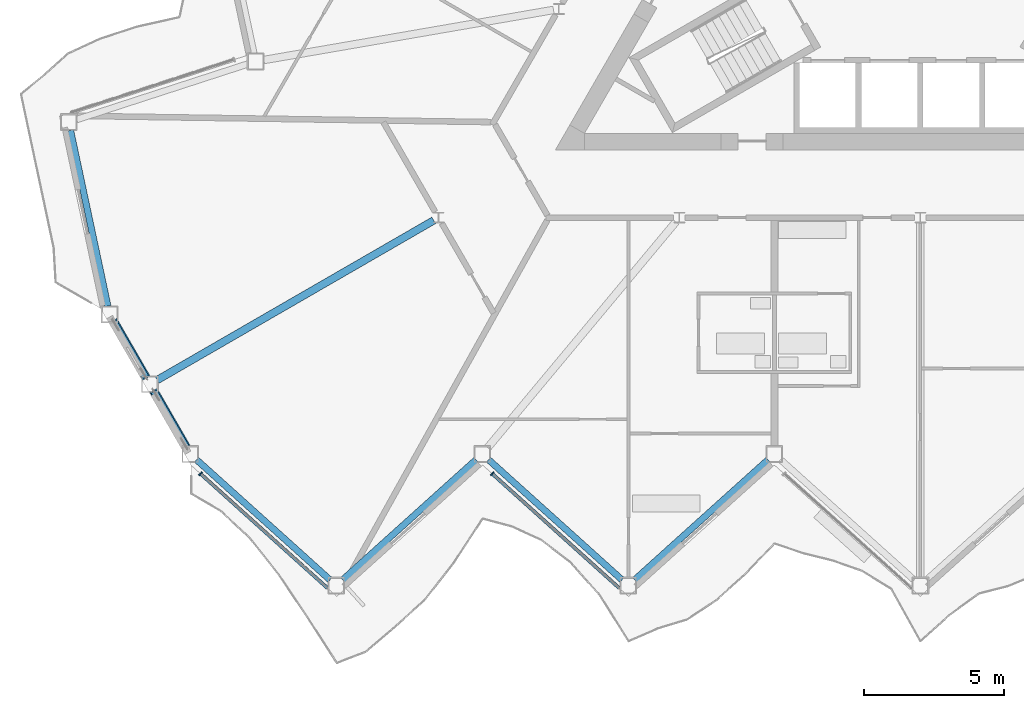
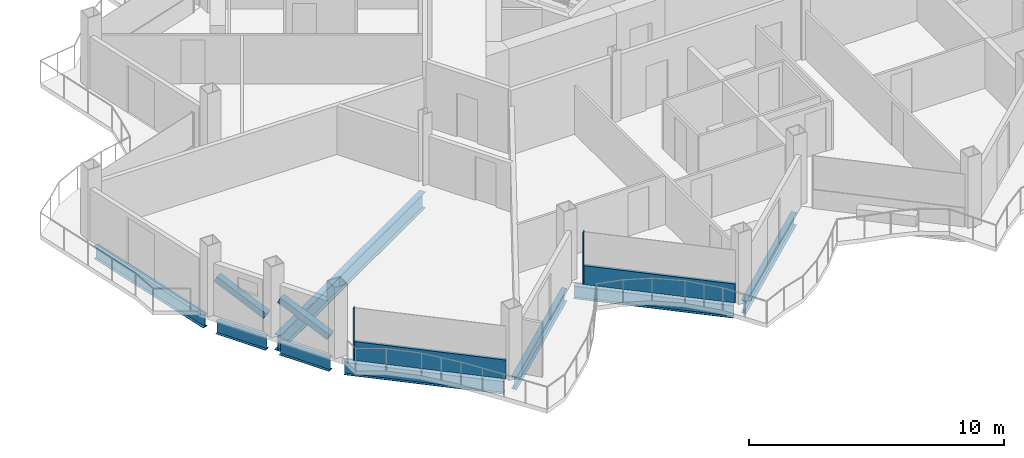
# One storey, part 4 of 26: 8 beams, 6 members, 2 elements without a shape of their own.
"""IFC4 building model written with IfcOpenShell, lengths in metres."""

from ifc_helpers import new_model, si_unit, direction, frame, origin, origin_2d, place, context, subcontext, project, spatial, rectangle, hollow_rectangle, i_section, extrude, material, layer, layer_set, material_profile, profile_set, type_object, element, aggregate, save


model = new_model("IFC4")

# Units and contexts
model_context = context("Model", 3, precision=1e-05, world=origin(), true_north=direction((0.0, 1.0)))
body_context = subcontext(model_context, "Body", "Model", "MODEL_VIEW")
ifc_project = project(units=[si_unit("LENGTHUNIT", "METRE"), si_unit("AREAUNIT", "SQUARE_METRE"), si_unit("VOLUMEUNIT", "CUBIC_METRE"), si_unit("PLANEANGLEUNIT", "RADIAN"), si_unit("MASSUNIT", "GRAM", prefix="KILO")], contexts=[model_context])

# Site, building, storey
site_placement = place(None, origin())
site = spatial("IfcSite", under=ifc_project, at=site_placement, CompositionType="ELEMENT")
building_placement = place(site_placement, origin())
building = spatial("IfcBuilding", under=site, at=building_placement, Name="Cormorant Prow Tower", CompositionType="ELEMENT")
storey_placement = place(building_placement, frame((0.0, 0.0, 329.0)))
storey = spatial("IfcBuildingStorey", under=building, at=storey_placement, Name="L73", CompositionType="ELEMENT", Elevation=329.0)

# Members
ifc_material_1 = material(Name="Structural steel ASTM A500 Gr C", Category="steel")
ifc_material_profile_1 = material_profile(ifc_material_1, hollow_rectangle(XDim=0.3046875, YDim=0.3046875, WallThickness=0.01171875, at=origin_2d()), Name="HSS12x12x1/2")
ifc_profile_set_1 = profile_set([ifc_material_profile_1], Name="Structural steel ASTM A500 Gr C")
member_type_1 = type_object("IfcMemberType", Name="Chamfer brace HSS12x12x1/2", PredefinedType="BRACE", material=ifc_profile_set_1)
for number, where, z_axis, x_axis, name in (
    (1, (-27.589599609375, -15.5654296875, 0.7412109375), (-0.456265706889, 0.790324476185, 0.408911759503), (-0.866038851724, -0.499976706761, 0.0), "Chamfer brace BR3 at WSW00 L73"),
    (2, (-26.15283203125, -18.05419921875, 0.7412109375), (-0.456265706889, 0.790324476185, 0.408911759503), (-0.866038851724, -0.499976706761, 0.0), "Chamfer brace BR3 at WSW01 L73"),
):
    element("IfcMember", number, at=place(storey_placement, frame(where, z_axis=z_axis, x_axis=x_axis)), inside=storey, type_object=member_type_1, Name=name, PredefinedType="BRACE", context=body_context, shape_type="SweptSolid", body=[
        extrude(hollow_rectangle(XDim=0.3046875, YDim=0.3046875, WallThickness=0.01171875, at=origin_2d()), origin(), (0.0, 0.0, 1.0), 2.459228515625),
    ])

# Beam
ifc_material_2 = material(Name="Structural steel ASTM A992 Gr 50", Category="steel")
ifc_material_profile_2 = material_profile(ifc_material_2, i_section(OverallWidth=0.267822265625, OverallDepth=0.77001953125, WebThickness=0.015625, FlangeThickness=0.025390625, at=origin_2d()), Name="W30x132")
ifc_profile_set_2 = profile_set([ifc_material_profile_2], Name="Structural steel ASTM A992 Gr 50")
beam_type_1 = type_object("IfcBeamType", Name="Radial floor beam W30x132", PredefinedType="BEAM", material=ifc_profile_set_2)
beam_1_placement = place(storey_placement, frame((-17.328125, -10.00439453125, -0.68505859375), z_axis=(-0.866024637028, -0.500001328059, 0.0), x_axis=(0.500001328059, -0.866024637028, 0.0)))
element("IfcBeam", 3, at=beam_1_placement, inside=storey, type_object=beam_type_1, Name="Radial floor beam FB3 5 L73", PredefinedType="BEAM", context=body_context, shape_type="SweptSolid", body=[
    extrude(i_section(OverallWidth=0.267822265625, OverallDepth=0.77001953125, WebThickness=0.015625, FlangeThickness=0.025390625, at=origin_2d()), origin(), (0.0, 0.0, 1.0), 11.3671875),
])

# Curtain wall, member
ifc_material_3 = material(Name="Aluminium 6063-T6", Category="aluminium")
ifc_layer = layer(ifc_material_3, 0.159912109375)
ifc_layer_set = layer_set([ifc_layer], Name="Aluminium 6063-T6")
curtain_wall_type = type_object("IfcCurtainWallType", Name="Residential unitised curtain wall 160", PredefinedType="NOTDEFINED", material=ifc_layer_set)
curtain_wall_1_placement = place(storey_placement, origin())
curtain_wall_1 = element("IfcCurtainWall", 4, at=curtain_wall_1_placement, inside=storey, type_object=curtain_wall_type, Name="Residential curtain wall S00", PredefinedType="NOTDEFINED")
ifc_material_4 = material(Name="Aluminium 6063-T6", Category="aluminium")
ifc_material_profile_3 = material_profile(ifc_material_4, rectangle(XDim=0.159912109375, YDim=0.050048828125, at=origin_2d()), Name="Residential mullion 50x160")
ifc_profile_set_3 = profile_set([ifc_material_profile_3], Name="Aluminium 6063-T6")
member_type_2 = type_object("IfcMemberType", Name="Residential mullion 50x160", PredefinedType="MULLION", material=ifc_profile_set_3)
member_1_placement = place(storey_placement, frame((-25.63232421875, -19.025146484375, 0.0), z_axis=(0.0, 0.0, 1.0), x_axis=(0.669130654479, 0.74314478215, 0.0)))
member_1 = element("IfcMember", 5, at=member_1_placement, type_object=member_type_2, Name="Residential mullion S00", PredefinedType="MULLION", context=body_context, shape_type="SweptSolid", body=[
    extrude(rectangle(XDim=0.159912109375, YDim=0.050048828125, at=origin_2d()), origin(), (0.0, 0.0, 1.0), 2.48779296875),
])

curtain_wall_2_placement = place(storey_placement, origin())
curtain_wall_2 = element("IfcCurtainWall", 6, at=curtain_wall_2_placement, inside=storey, type_object=curtain_wall_type, Name="Residential curtain wall S02", PredefinedType="NOTDEFINED")
member_2_placement = place(storey_placement, frame((-15.242919921875, -19.025146484375, 0.0), z_axis=(0.0, 0.0, 1.0), x_axis=(0.669130654479, 0.74314478215, 0.0)))
member_2 = element("IfcMember", 7, at=member_2_placement, type_object=member_type_2, Name="Residential mullion S02", PredefinedType="MULLION", context=body_context, shape_type="SweptSolid", body=[
    extrude(rectangle(XDim=0.159912109375, YDim=0.050048828125, at=origin_2d()), origin(), (0.0, 0.0, 1.0), 2.48779296875),
])

# Member
ifc_material_5 = material(Name="Terracotta", Category="masonry")
ifc_material_profile_4 = material_profile(ifc_material_5, rectangle(XDim=0.1201171875, YDim=0.89990234375, at=origin_2d()), Name="Residential terracotta spandrel rail 120x900")
ifc_profile_set_4 = profile_set([ifc_material_profile_4], Name="Terracotta")
member_type_3 = type_object("IfcMemberType", Name="Residential terracotta spandrel rail 120x900", PredefinedType="USERDEFINED", material=ifc_profile_set_4)
member_3_placement = place(storey_placement, frame((-25.61376953125, -19.0419921875, 0.449951171875), z_axis=(0.74314818338, -0.669126877012, 0.0), x_axis=(0.669126877012, 0.74314818338, 0.0)))
member_3 = element("IfcMember", 8, at=member_3_placement, type_object=member_type_3, Name="Residential spandrel rail S00", ObjectType="TRANSOM", PredefinedType="USERDEFINED", context=body_context, shape_type="SweptSolid", body=[
    extrude(rectangle(XDim=0.1201171875, YDim=0.89990234375, at=origin_2d()), origin(), (0.0, 0.0, 1.0), 6.072021484375),
])

aggregate(curtain_wall_1, [member_1, member_3])

member_4_placement = place(storey_placement, frame((-15.224365234375, -19.0419921875, 0.449951171875), z_axis=(0.74314818338, -0.669126877012, 0.0), x_axis=(0.669126877012, 0.74314818338, 0.0)))
member_4 = element("IfcMember", 9, at=member_4_placement, type_object=member_type_3, Name="Residential spandrel rail S02", ObjectType="TRANSOM", PredefinedType="USERDEFINED", context=body_context, shape_type="SweptSolid", body=[
    extrude(rectangle(XDim=0.1201171875, YDim=0.89990234375, at=origin_2d()), origin(), (0.0, 0.0, 1.0), 6.072021484375),
])

aggregate(curtain_wall_2, [member_2, member_4])

# Beams
ifc_material_6 = material(Name="Structural steel ASTM A992 Gr 50", Category="steel")
ifc_material_profile_5 = material_profile(ifc_material_6, i_section(OverallWidth=0.22900390625, OverallDepth=0.612060546875, WebThickness=0.011962890625, FlangeThickness=0.01953125, at=origin_2d()), Name="W24x84")
ifc_profile_set_5 = profile_set([ifc_material_profile_5], Name="Structural steel ASTM A992 Gr 50")
beam_type_2 = type_object("IfcBeamType", Name="Spandrel beam W24x84", PredefinedType="SPANDREL", material=ifc_profile_set_5)
beam_2_placement = place(storey_placement, frame((-25.7724609375, -18.527587890625, -0.60595703125), z_axis=(0.743144186555, -0.669131315954, 0.0), x_axis=(0.669131315954, 0.743144186555, 0.0)))
element("IfcBeam", 10, at=beam_2_placement, inside=storey, type_object=beam_type_2, Name="Spandrel beam SB3 S00-S01 L73", PredefinedType="SPANDREL", context=body_context, shape_type="SweptSolid", body=[
    extrude(i_section(OverallWidth=0.22900390625, OverallDepth=0.612060546875, WebThickness=0.011962890625, FlangeThickness=0.01953125, at=origin_2d()), origin(), (0.0, 0.0, 1.0), 6.39599609375),
])
beam_3_placement = place(storey_placement, frame((-20.573486328125, -22.807373046875, -0.60595703125), z_axis=(0.743161276225, 0.669112335502, 0.0), x_axis=(-0.669112335502, 0.743161276225, 0.0)))
element("IfcBeam", 11, at=beam_3_placement, inside=storey, type_object=beam_type_2, Name="Spandrel beam SB3 S01-S02 L73", PredefinedType="SPANDREL", context=body_context, shape_type="SweptSolid", body=[
    extrude(i_section(OverallWidth=0.22900390625, OverallDepth=0.612060546875, WebThickness=0.011962890625, FlangeThickness=0.01953125, at=origin_2d()), origin(), (0.0, 0.0, 1.0), 6.396240234375),
])
for number, where, z_axis, x_axis, name in (
    (12, (-15.374267578125, -18.527587890625, -0.60595703125), (0.743144186555, -0.669131315954, 0.0), (0.669131315954, 0.743144186555, 0.0), "Spandrel beam SB3 S02-S03 L73"),
    (13, (-10.17529296875, -22.807373046875, -0.60595703125), (0.743144186555, 0.669131315954, 0.0), (-0.669131315954, 0.743144186555, 0.0), "Spandrel beam SB3 S03-S04 L73"),
):
    element("IfcBeam", number, at=place(storey_placement, frame(where, z_axis=z_axis, x_axis=x_axis)), inside=storey, type_object=beam_type_2, Name=name, PredefinedType="SPANDREL", context=body_context, shape_type="SweptSolid", body=[
        extrude(i_section(OverallWidth=0.22900390625, OverallDepth=0.612060546875, WebThickness=0.011962890625, FlangeThickness=0.01953125, at=origin_2d()), origin(), (0.0, 0.0, 1.0), 6.39599609375),
    ])
beam_4_placement = place(storey_placement, frame((-30.261474609375, -6.799560546875, -0.60595703125), z_axis=(0.20791262393, -0.978147402394, 0.0), x_axis=(0.978147402394, 0.20791262393, 0.0)))
element("IfcBeam", 14, at=beam_4_placement, inside=storey, type_object=beam_type_2, Name="Spandrel beam SB3 WNW09-WSW00 L73", PredefinedType="SPANDREL", context=body_context, shape_type="SweptSolid", body=[
    extrude(i_section(OverallWidth=0.22900390625, OverallDepth=0.612060546875, WebThickness=0.011962890625, FlangeThickness=0.01953125, at=origin_2d()), origin(), (0.0, 0.0, 1.0), 6.396240234375),
])
beam_5_placement = place(storey_placement, frame((-28.71923828125, -13.609130859375, -0.60595703125), z_axis=(0.500053962254, -0.865994246421, 0.0), x_axis=(0.865994246421, 0.500053962254, 0.0)))
element("IfcBeam", 15, at=beam_5_placement, inside=storey, type_object=beam_type_2, Name="Spandrel beam SB3 WSW00-WSW01 L73", PredefinedType="SPANDREL", context=body_context, shape_type="SweptSolid", body=[
    extrude(i_section(OverallWidth=0.22900390625, OverallDepth=0.612060546875, WebThickness=0.011962890625, FlangeThickness=0.01953125, at=origin_2d()), origin(), (0.0, 0.0, 1.0), 2.273681640625),
])
beam_6_placement = place(storey_placement, frame((-27.2822265625, -16.097900390625, -0.60595703125), z_axis=(0.49997342893, -0.866040744055, 0.0), x_axis=(0.866040744055, 0.49997342893, 0.0)))
element("IfcBeam", 16, at=beam_6_placement, inside=storey, type_object=beam_type_2, Name="Spandrel beam SB3 WSW01-S00 L73", PredefinedType="SPANDREL", context=body_context, shape_type="SweptSolid", body=[
    extrude(i_section(OverallWidth=0.22900390625, OverallDepth=0.612060546875, WebThickness=0.011962890625, FlangeThickness=0.01953125, at=origin_2d()), origin(), (0.0, 0.0, 1.0), 2.2734375),
])

save(model, "model.ifc")
